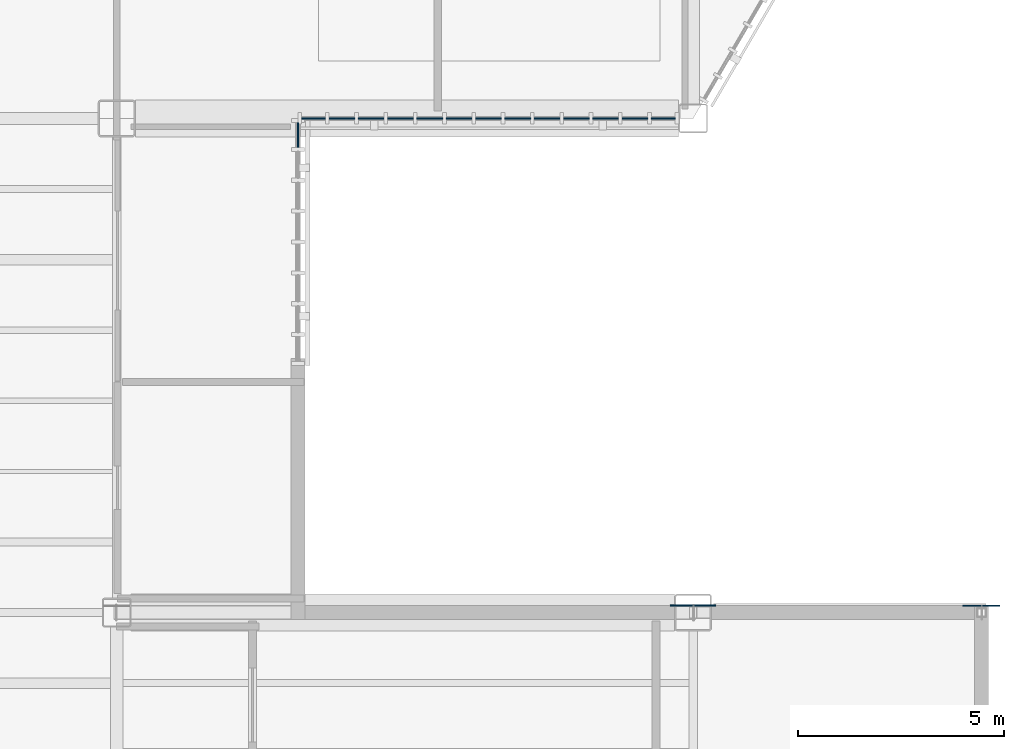
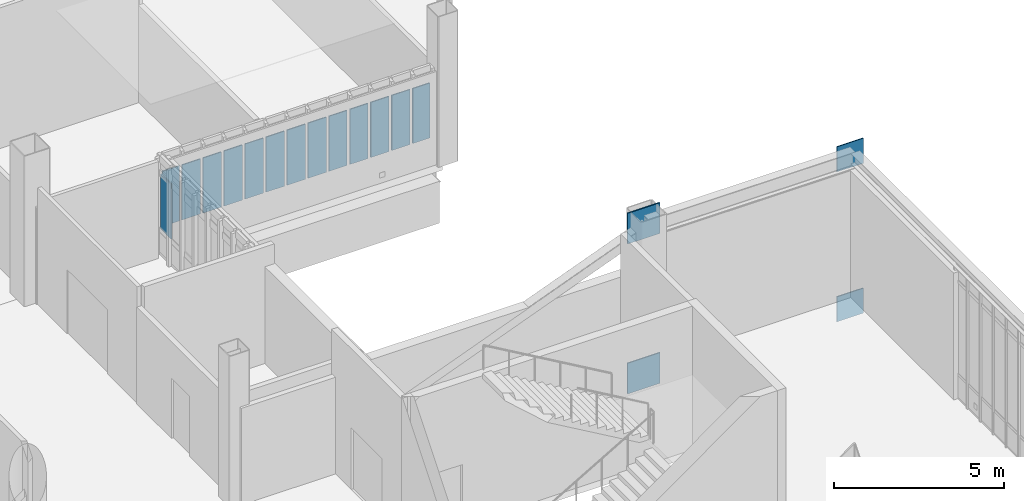
# One storey, part 77 of 127: 18 plates, 2 elements without a shape of their own.
"""IFC4 building model written with IfcOpenShell, lengths in metres."""

from ifc_helpers import new_model, si_unit, direction, frame, origin, origin_2d, place, context, subcontext, project, spatial, rectangle, extrude, material, layer, layer_set, type_object, element, aggregate, save


model = new_model("IFC4")

# Units and contexts
model_context = context("Model", 3, precision=1e-05, world=origin(), true_north=direction((0.0, 1.0)))
body_context = subcontext(model_context, "Body", "Model", "MODEL_VIEW")
ifc_project = project(units=[si_unit("LENGTHUNIT", "METRE"), si_unit("AREAUNIT", "SQUARE_METRE"), si_unit("VOLUMEUNIT", "CUBIC_METRE"), si_unit("PLANEANGLEUNIT", "RADIAN"), si_unit("MASSUNIT", "GRAM", prefix="KILO")], contexts=[model_context])

# Site, building, storey
site_placement = place(None, origin())
site = spatial("IfcSite", under=ifc_project, at=site_placement, CompositionType="ELEMENT")
building_placement = place(site_placement, origin())
building = spatial("IfcBuilding", under=site, at=building_placement, Name="Larkvane Passage Sports Hall", CompositionType="ELEMENT")
storey_placement = place(building_placement, frame((0.0, 0.0, 5.39990234375)))
storey = spatial("IfcBuildingStorey", under=building, at=storey_placement, Name="L01", CompositionType="ELEMENT", Elevation=5.39990234375)

# Curtain wall, plates
ifc_material_1 = material(Name="Thermally broken aluminium and low-E glazing", Category="aluminium")
curtain_wall_type_1 = type_object("IfcCurtainWallType", Name="CW-STICK-FOYER", PredefinedType="USERDEFINED", material=ifc_material_1)
curtain_wall_1_placement = place(storey_placement, origin())
curtain_wall_1 = element("IfcCurtainWall", 1, at=curtain_wall_1_placement, inside=storey, type_object=curtain_wall_type_1, Name="Curtain wall CW5-L01-058", ObjectType="STICK CURTAIN WALL", PredefinedType="USERDEFINED")
ifc_material_2 = material(Name="High-impact court low-E glazing", Category="glass")
ifc_layer_1 = layer(ifc_material_2, 0.035888671875)
ifc_layer_set_1 = layer_set([ifc_layer_1], Name="High-impact court low-E glazing")
plate_type_1 = type_object("IfcPlateType", Name="CWP-VIS-36", PredefinedType="CURTAIN_PANEL", material=ifc_layer_set_1)
plate_1_placement = place(storey_placement, frame((144.87548828125, 63.60009765625, 0.89501953125), z_axis=(0.0, 0.0, 1.0), x_axis=(-1.0, 0.0, 0.0)))
plate_1 = element("IfcPlate", 2, at=plate_1_placement, type_object=plate_type_1, Name="CW-03 panel 1.2", PredefinedType="CURTAIN_PANEL", context=body_context, shape_type="SweptSolid", body=[
    extrude(rectangle(XDim=0.576904296875, YDim=0.035888671875, at=origin_2d()), origin(), (0.0, 0.0, 1.0), 1.97802734375),
])
plate_2_placement = place(storey_placement, frame((144.186279296875, 63.60009765625, 0.89501953125), z_axis=(0.0, 0.0, 1.0), x_axis=(-1.0, 0.0, 0.0)))
plate_2 = element("IfcPlate", 3, at=plate_2_placement, type_object=plate_type_1, Name="CW-03 panel 2.2", PredefinedType="CURTAIN_PANEL", context=body_context, shape_type="SweptSolid", body=[
    extrude(rectangle(XDim=0.621826171875, YDim=0.035888671875, at=origin_2d()), origin(), (0.0, 0.0, 1.0), 1.97802734375),
])
plate_3_placement = place(storey_placement, frame((143.474365234375, 63.60009765625, 0.89501953125), z_axis=(0.0, 0.0, 1.0), x_axis=(-1.0, 0.0, 0.0)))
plate_3 = element("IfcPlate", 4, at=plate_3_placement, type_object=plate_type_1, Name="CW-03 panel 3.2", PredefinedType="CURTAIN_PANEL", context=body_context, shape_type="SweptSolid", body=[
    extrude(rectangle(XDim=0.621826171875, YDim=0.035888671875, at=origin_2d()), origin(), (0.0, 0.0, 1.0), 1.97802734375),
])
plate_4_placement = place(storey_placement, frame((142.762451171875, 63.60009765625, 0.89501953125), z_axis=(0.0, 0.0, 1.0), x_axis=(-1.0, 0.0, 0.0)))
plate_4 = element("IfcPlate", 5, at=plate_4_placement, type_object=plate_type_1, Name="CW-03 panel 4.2", PredefinedType="CURTAIN_PANEL", context=body_context, shape_type="SweptSolid", body=[
    extrude(rectangle(XDim=0.621826171875, YDim=0.035888671875, at=origin_2d()), origin(), (0.0, 0.0, 1.0), 1.97802734375),
])
plate_5_placement = place(storey_placement, frame((142.05078125, 63.60009765625, 0.89501953125), z_axis=(0.0, 0.0, 1.0), x_axis=(-1.0, 0.0, 0.0)))
plate_5 = element("IfcPlate", 6, at=plate_5_placement, type_object=plate_type_1, Name="CW-03 panel 5.2", PredefinedType="CURTAIN_PANEL", context=body_context, shape_type="SweptSolid", body=[
    extrude(rectangle(XDim=0.621826171875, YDim=0.035888671875, at=origin_2d()), origin(), (0.0, 0.0, 1.0), 1.97802734375),
])
plate_6_placement = place(storey_placement, frame((141.3388671875, 63.60009765625, 0.89501953125), z_axis=(0.0, 0.0, 1.0), x_axis=(-1.0, 0.0, 0.0)))
plate_6 = element("IfcPlate", 7, at=plate_6_placement, type_object=plate_type_1, Name="CW-03 panel 6.2", PredefinedType="CURTAIN_PANEL", context=body_context, shape_type="SweptSolid", body=[
    extrude(rectangle(XDim=0.621826171875, YDim=0.035888671875, at=origin_2d()), origin(), (0.0, 0.0, 1.0), 1.97802734375),
])
plate_7_placement = place(storey_placement, frame((140.626953125, 63.60009765625, 0.89501953125), z_axis=(0.0, 0.0, 1.0), x_axis=(-1.0, 0.0, 0.0)))
plate_7 = element("IfcPlate", 8, at=plate_7_placement, type_object=plate_type_1, Name="CW-03 panel 7.2", PredefinedType="CURTAIN_PANEL", context=body_context, shape_type="SweptSolid", body=[
    extrude(rectangle(XDim=0.621826171875, YDim=0.035888671875, at=origin_2d()), origin(), (0.0, 0.0, 1.0), 1.97802734375),
])
plate_8_placement = place(storey_placement, frame((139.9150390625, 63.60009765625, 0.89501953125), z_axis=(0.0, 0.0, 1.0), x_axis=(-1.0, 0.0, 0.0)))
plate_8 = element("IfcPlate", 9, at=plate_8_placement, type_object=plate_type_1, Name="CW-03 panel 8.2", PredefinedType="CURTAIN_PANEL", context=body_context, shape_type="SweptSolid", body=[
    extrude(rectangle(XDim=0.621826171875, YDim=0.035888671875, at=origin_2d()), origin(), (0.0, 0.0, 1.0), 1.97802734375),
])
plate_9_placement = place(storey_placement, frame((139.203369140625, 63.60009765625, 0.89501953125), z_axis=(0.0, 0.0, 1.0), x_axis=(-1.0, 0.0, 0.0)))
plate_9 = element("IfcPlate", 10, at=plate_9_placement, type_object=plate_type_1, Name="CW-03 panel 9.2", PredefinedType="CURTAIN_PANEL", context=body_context, shape_type="SweptSolid", body=[
    extrude(rectangle(XDim=0.621826171875, YDim=0.035888671875, at=origin_2d()), origin(), (0.0, 0.0, 1.0), 1.97802734375),
])
plate_10_placement = place(storey_placement, frame((138.491455078125, 63.60009765625, 0.89501953125), z_axis=(0.0, 0.0, 1.0), x_axis=(-1.0, 0.0, 0.0)))
plate_10 = element("IfcPlate", 11, at=plate_10_placement, type_object=plate_type_1, Name="CW-03 panel 10.2", PredefinedType="CURTAIN_PANEL", context=body_context, shape_type="SweptSolid", body=[
    extrude(rectangle(XDim=0.621826171875, YDim=0.035888671875, at=origin_2d()), origin(), (0.0, 0.0, 1.0), 1.97802734375),
])
plate_11_placement = place(storey_placement, frame((137.779541015625, 63.60009765625, 0.89501953125), z_axis=(0.0, 0.0, 1.0), x_axis=(-1.0, 0.0, 0.0)))
plate_11 = element("IfcPlate", 12, at=plate_11_placement, type_object=plate_type_1, Name="CW-03 panel 11.2", PredefinedType="CURTAIN_PANEL", context=body_context, shape_type="SweptSolid", body=[
    extrude(rectangle(XDim=0.621826171875, YDim=0.035888671875, at=origin_2d()), origin(), (0.0, 0.0, 1.0), 1.97802734375),
])
plate_12_placement = place(storey_placement, frame((137.06787109375, 63.60009765625, 0.89501953125), z_axis=(0.0, 0.0, 1.0), x_axis=(-1.0, 0.0, 0.0)))
plate_12 = element("IfcPlate", 13, at=plate_12_placement, type_object=plate_type_1, Name="CW-03 panel 12.2", PredefinedType="CURTAIN_PANEL", context=body_context, shape_type="SweptSolid", body=[
    extrude(rectangle(XDim=0.621826171875, YDim=0.035888671875, at=origin_2d()), origin(), (0.0, 0.0, 1.0), 1.97802734375),
])
plate_13_placement = place(storey_placement, frame((136.37841796875, 63.60009765625, 0.89501953125), z_axis=(0.0, 0.0, 1.0), x_axis=(-1.0, 0.0, 0.0)))
plate_13 = element("IfcPlate", 14, at=plate_13_placement, type_object=plate_type_1, Name="CW-03 panel 13.2", PredefinedType="CURTAIN_PANEL", context=body_context, shape_type="SweptSolid", body=[
    extrude(rectangle(XDim=0.576904296875, YDim=0.035888671875, at=origin_2d()), origin(), (0.0, 0.0, 1.0), 1.97802734375),
])
aggregate(curtain_wall_1, [plate_1, plate_2, plate_3, plate_4, plate_5, plate_6, plate_7, plate_8, plate_9, plate_10, plate_11, plate_12, plate_13])

# Curtain wall, plate
curtain_wall_type_2 = type_object("IfcCurtainWallType", Name="CW-CLINIC", PredefinedType="USERDEFINED", material=ifc_material_1)
curtain_wall_2_placement = place(storey_placement, origin())
curtain_wall_2 = element("IfcCurtainWall", 15, at=curtain_wall_2_placement, inside=storey, type_object=curtain_wall_type_2, Name="Curtain wall CW5-L01-059", ObjectType="UNITISED CURTAIN WALL", PredefinedType="USERDEFINED")
ifc_material_3 = material(Name="Triple-laminated typhoon glazing", Category="glass")
ifc_layer_2 = layer(ifc_material_3, 0.0419921875)
ifc_layer_set_2 = layer_set([ifc_layer_2], Name="Triple-laminated typhoon glazing")
plate_type_2 = type_object("IfcPlateType", Name="CWP-VIS-42", PredefinedType="CURTAIN_PANEL", material=ifc_layer_set_2)
plate_14_placement = place(storey_placement, frame((136.0, 63.199951171875, 0.89990234375), z_axis=(0.0, 0.0, 1.0), x_axis=(0.0, -1.0, 0.0)))
plate_14 = element("IfcPlate", 16, at=plate_14_placement, type_object=plate_type_2, Name="CW-05 panel 1.2", PredefinedType="CURTAIN_PANEL", context=body_context, shape_type="SweptSolid", body=[
    extrude(rectangle(XDim=0.60009765625, YDim=0.0419921875, at=origin_2d()), origin(), (0.0, 0.0, 1.0), 1.968017578125),
])
aggregate(curtain_wall_2, [plate_14])

# Plates
ifc_material_4 = material(Name="Steel S460N", Category="steel")
ifc_layer_3 = layer(ifc_material_4, 0.031982421875)
ifc_layer_set_3 = layer_set([ifc_layer_3], Name="Steel S460N")
plate_type_3 = type_object("IfcPlateType", Name="PLT-GUS-32", PredefinedType="USERDEFINED", material=ifc_layer_set_3)
for number, where, z_axis, x_axis, name in (
    (17, (152.60009765625, 51.76611328125, -0.973876953125), (0.0, 0.0, 1.0), (1.0, 0.0, 0.0), "Truss node gusset plate ND-3B (CT-E1A-2)"),
    (18, (152.60009765625, 51.76611328125, 4.40625), (0.0, 0.0, 1.0), (1.0, 0.0, 0.0), "Truss node gusset plate ND-3T (CT-E1A-2)"),
):
    element("IfcPlate", number, at=place(storey_placement, frame(where, z_axis=z_axis, x_axis=x_axis)), inside=storey, type_object=plate_type_3, Name=name, ObjectType="GUSSET PLATE", PredefinedType="USERDEFINED", context=body_context, shape_type="SweptSolid", body=[
        extrude(rectangle(XDim=0.89990234375, YDim=0.031982421875, at=origin_2d()), origin(), (0.0, 0.0, 1.0), 0.89990234375),
    ])
ifc_layer_4 = layer(ifc_material_4, 0.0400390625)
ifc_layer_set_4 = layer_set([ifc_layer_4], Name="Steel S460N")
plate_type_4 = type_object("IfcPlateType", Name="PLT-GUS-40", PredefinedType="USERDEFINED", material=ifc_layer_set_4)
for number, where, z_axis, x_axis, name in (
    (19, (145.60009765625, 51.77001953125, -1.073974609375), (0.0, 0.0, 1.0), (1.0, 0.0, 0.0), "Truss node gusset plate ND-2B (CT-E1A-2)"),
    (20, (145.60009765625, 51.77001953125, 4.30615234375), (0.0, 0.0, 1.0), (1.0, 0.0, 0.0), "Truss node gusset plate ND-2T (CT-E1A-2)"),
):
    element("IfcPlate", number, at=place(storey_placement, frame(where, z_axis=z_axis, x_axis=x_axis)), inside=storey, type_object=plate_type_4, Name=name, ObjectType="GUSSET PLATE", PredefinedType="USERDEFINED", context=body_context, shape_type="SweptSolid", body=[
        extrude(rectangle(XDim=1.10009765625, YDim=0.0400390625, at=origin_2d()), origin(), (0.0, 0.0, 1.0), 1.10009765625),
    ])

save(model, "model.ifc")
